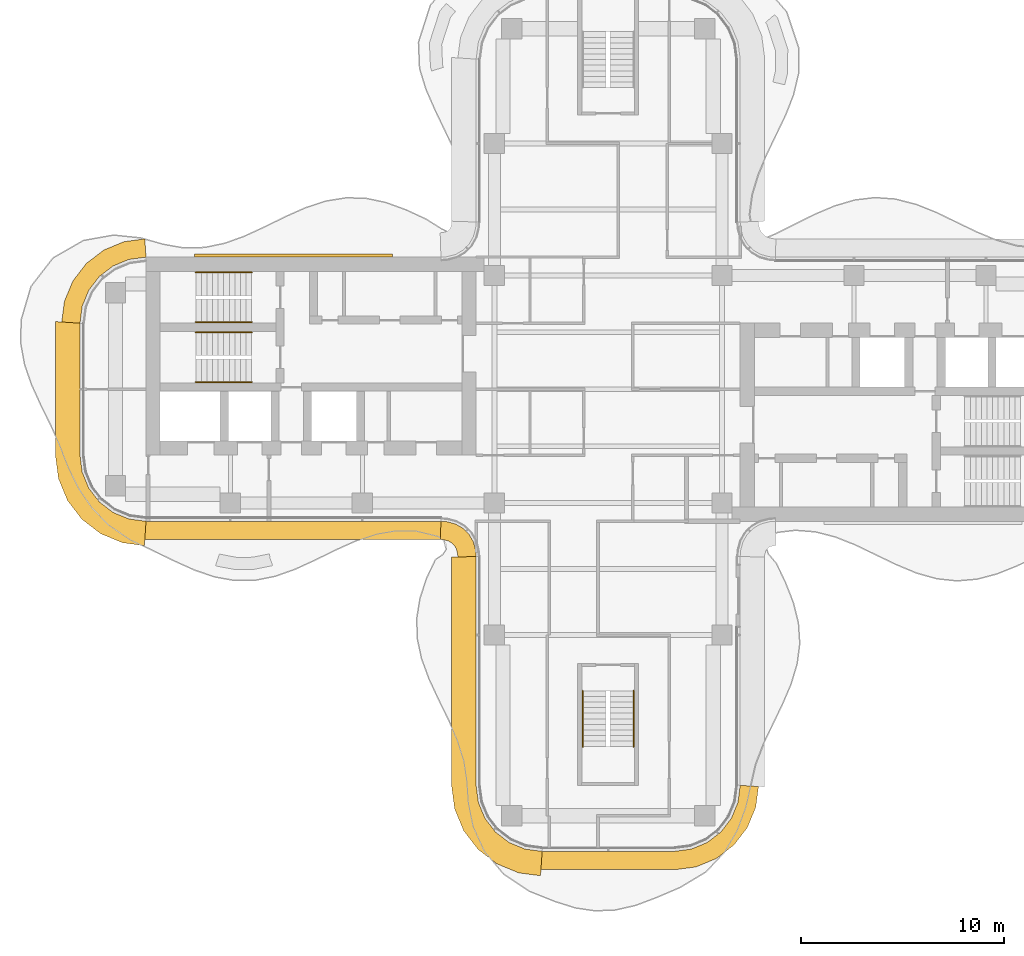
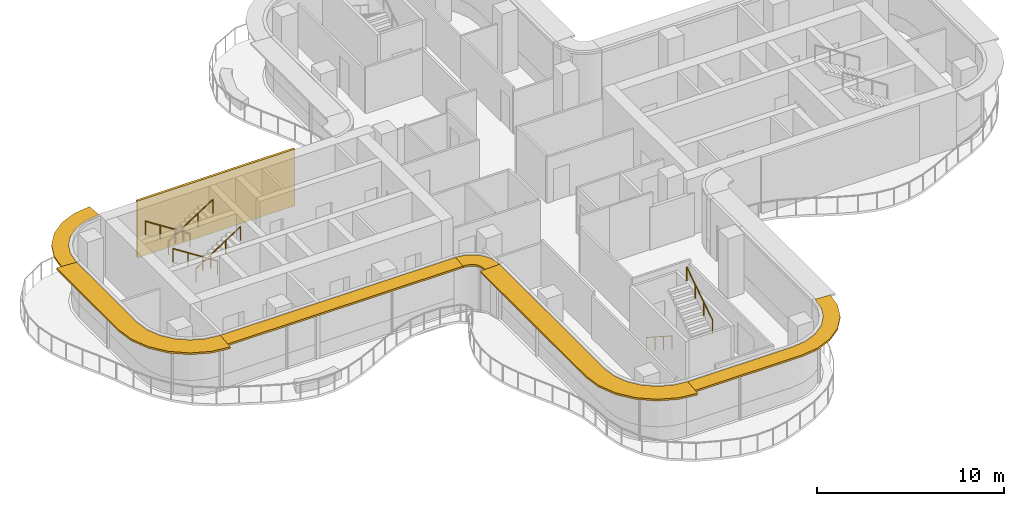
# One storey, part 15 of 16: 6 railings, 6 shading devices, 1 covering.
"""IFC4 building model written with IfcOpenShell, lengths in metres."""

from ifc_helpers import new_model, si_unit, direction, frame, origin, origin_2d, place, context, subcontext, project, spatial, polyline, circle, outline, extrude, source, transform, mapped, material, layer, layer_set, type_object, element, save


model = new_model("IFC4")

# Units and contexts
model_context = context("Model", 3, precision=1e-05, world=origin(), true_north=direction((0.0, 1.0)))
body_context = subcontext(model_context, "Body", "Model", "MODEL_VIEW")
ifc_project = project(units=[si_unit("LENGTHUNIT", "METRE"), si_unit("AREAUNIT", "SQUARE_METRE"), si_unit("VOLUMEUNIT", "CUBIC_METRE"), si_unit("PLANEANGLEUNIT", "RADIAN"), si_unit("MASSUNIT", "GRAM", prefix="KILO")], contexts=[model_context])

# Site, building, storey
site_placement = place(None, origin())
site = spatial("IfcSite", under=ifc_project, at=site_placement, CompositionType="ELEMENT")
building_placement = place(site_placement, origin())
building = spatial("IfcBuilding", under=site, at=building_placement, Name="Trellis Farm Tower", CompositionType="ELEMENT")
storey_placement = place(building_placement, frame((0.0, 0.0, 314.5)))
storey = spatial("IfcBuildingStorey", under=building, at=storey_placement, Name="L71", CompositionType="ELEMENT", Elevation=314.5)

# Railings
ifc_material_1 = material(Name="Stainless steel", Category="steel")
railing_type = type_object("IfcRailingType", Name="STAIR HANDRAIL 900", PredefinedType="HANDRAIL", material=ifc_material_1)
shared_shape_1 = source(origin(), body_context, "Body", "SweptSolid", [
    extrude(circle(Radius=0.02392578125, at=origin_2d()), frame((0.0, 0.0, 0.8759765625), z_axis=(0.0, 0.840503830235, 0.541805602924), x_axis=(-1.0, 0.0, 0.0)), (0.0, 0.0, 1.0), 3.271728515625),
    extrude(circle(Radius=0.02099609375, at=origin_2d()), origin(), (0.0, 0.0, 1.0), 0.851806640625),
    extrude(circle(Radius=0.02099609375, at=origin_2d()), frame((0.0, 0.916748046875, 0.5908203125)), (0.0, 0.0, 1.0), 0.851806640625),
    extrude(circle(Radius=0.02099609375, at=origin_2d()), frame((0.0, 1.833251953125, 1.181884765625)), (0.0, 0.0, 1.0), 0.851806640625),
    extrude(circle(Radius=0.02099609375, at=origin_2d()), frame((0.0, 2.75, 1.772705078125)), (0.0, 0.0, 1.0), 0.851806640625),
])
railing_1_placement = place(storey_placement, frame((1.25, -17.60009765625, 2.127197265625)))
element("IfcRailing", 1, at=railing_1_placement, inside=storey, type_object=railing_type, Name="Stair handrail", PredefinedType="HANDRAIL", context=body_context, shape_type="MappedRepresentation", body=[
    mapped(shared_shape_1, transform((0.0, 0.0, 0.0))),
])
shared_shape_2 = source(origin(), body_context, "Body", "SweptSolid", [
    extrude(circle(Radius=0.02392578125, at=origin_2d()), frame((0.0, 0.0, 0.8759765625), z_axis=(0.0, -0.840503830235, 0.541805602924), x_axis=(1.0, 0.0, 0.0)), (0.0, 0.0, 1.0), 3.271728515625),
    extrude(circle(Radius=0.02099609375, at=origin_2d()), origin(), (0.0, 0.0, 1.0), 0.851806640625),
    extrude(circle(Radius=0.02099609375, at=origin_2d()), frame((0.0, -0.916748046875, 0.5908203125)), (0.0, 0.0, 1.0), 0.851806640625),
    extrude(circle(Radius=0.02099609375, at=origin_2d()), frame((0.0, -1.833251953125, 1.181884765625)), (0.0, 0.0, 1.0), 0.851806640625),
    extrude(circle(Radius=0.02099609375, at=origin_2d()), frame((0.0, -2.75, 1.772705078125)), (0.0, 0.0, 1.0), 0.851806640625),
])
railing_2_placement = place(storey_placement, frame((-1.25, -14.85009765625, 0.17724609375)))
element("IfcRailing", 2, at=railing_2_placement, inside=storey, type_object=railing_type, Name="Stair handrail", PredefinedType="HANDRAIL", context=body_context, shape_type="MappedRepresentation", body=[
    mapped(shared_shape_2, transform((0.0, 0.0, 0.0))),
])
shared_shape_3 = source(origin(), body_context, "Body", "SweptSolid", [
    extrude(circle(Radius=0.02392578125, at=origin_2d()), frame((0.0, 0.0, 0.8759765625), z_axis=(0.840503830235, 0.0, 0.541805602924), x_axis=(0.0, 1.0, 0.0)), (0.0, 0.0, 1.0), 3.271728515625),
    extrude(circle(Radius=0.02099609375, at=origin_2d()), origin(), (0.0, 0.0, 1.0), 0.851806640625),
    extrude(circle(Radius=0.02099609375, at=origin_2d()), frame((0.916748046875, 0.0, 0.5908203125)), (0.0, 0.0, 1.0), 0.851806640625),
    extrude(circle(Radius=0.02099609375, at=origin_2d()), frame((1.833251953125, 0.0, 1.181884765625)), (0.0, 0.0, 1.0), 0.851806640625),
    extrude(circle(Radius=0.02099609375, at=origin_2d()), frame((2.75, 0.0, 1.772705078125)), (0.0, 0.0, 1.0), 0.851806640625),
])
for number, where, name in (
    (3, (-20.300048828125, 3.300048828125, 2.127197265625), "Stair handrail"),
    (4, (-20.300048828125, 0.35009765625, 2.127197265625), "Stair handrail"),
):
    element("IfcRailing", number, at=place(storey_placement, frame(where)), inside=storey, type_object=railing_type, Name=name, PredefinedType="HANDRAIL", context=body_context, shape_type="MappedRepresentation", body=[
        mapped(shared_shape_3, transform((0.0, 0.0, 0.0))),
    ])
shared_shape_4 = source(origin(), body_context, "Body", "SweptSolid", [
    extrude(circle(Radius=0.02392578125, at=origin_2d()), frame((0.0, 0.0, 0.8759765625), z_axis=(-0.840503830235, 0.0, 0.541805602924), x_axis=(0.0, -1.0, 0.0)), (0.0, 0.0, 1.0), 3.271728515625),
    extrude(circle(Radius=0.02099609375, at=origin_2d()), origin(), (0.0, 0.0, 1.0), 0.851806640625),
    extrude(circle(Radius=0.02099609375, at=origin_2d()), frame((-0.916748046875, 0.0, 0.5908203125)), (0.0, 0.0, 1.0), 0.851806640625),
    extrude(circle(Radius=0.02099609375, at=origin_2d()), frame((-1.833251953125, 0.0, 1.181884765625)), (0.0, 0.0, 1.0), 0.851806640625),
    extrude(circle(Radius=0.02099609375, at=origin_2d()), frame((-2.75, 0.0, 1.772705078125)), (0.0, 0.0, 1.0), 0.851806640625),
])
for number, where, name in (
    (5, (-17.550048828125, 5.75, 0.17724609375), "Stair handrail"),
    (6, (-17.550048828125, 2.800048828125, 0.17724609375), "Stair handrail"),
):
    element("IfcRailing", number, at=place(storey_placement, frame(where)), inside=storey, type_object=railing_type, Name=name, PredefinedType="HANDRAIL", context=body_context, shape_type="MappedRepresentation", body=[
        mapped(shared_shape_4, transform((0.0, 0.0, 0.0))),
    ])

# Shading devices
ifc_material_2 = material(Name="Aluminium extrusion 6063-T6", Category="aluminium")
ifc_layer_1 = layer(ifc_material_2, 0.1201171875)
ifc_layer_set_1 = layer_set([ifc_layer_1], Name="SUNSHADE BLADE 900")
shading_device_type_1 = type_object("IfcShadingDeviceType", Name="SUNSHADE BLADE 900", PredefinedType="USERDEFINED", material=ifc_layer_set_1)
shared_shape_5 = source(origin(), body_context, "Body", "SweptSolid", [
    extrude(outline(polyline([(-8.2607421875, -7.39990234375), (-8.107666015625, -7.409912109375), (-8.091552734375, -7.412109375), (-7.85595703125, -7.475341796875), (-7.697021484375, -7.567138671875), (-7.567138671875, -7.697021484375), (-7.475341796875, -7.85595703125), (-7.412109375, -8.091552734375), (-7.409912109375, -8.107666015625), (-7.39990234375, -8.2607421875), (-6.5, -8.2314453125), (-6.513916015625, -8.01953125), (-6.527587890625, -7.91552734375), (-6.63671875, -7.508544921875), (-6.846923828125, -7.144287109375), (-7.144287109375, -6.846923828125), (-7.508544921875, -6.63671875), (-7.91552734375, -6.527587890625), (-8.01953125, -6.513916015625), (-8.2314453125, -6.5), (-8.2607421875, -7.39990234375)])), origin(), (0.0, 0.0, 1.0), 0.119873046875),
])
placement = place(storey_placement, frame((0.0, 0.0, 3.5400390625)))
element("IfcShadingDevice", 7, at=placement, inside=storey, type_object=shading_device_type_1, Name="SD1 002", ObjectType="SUNSHADE", PredefinedType="USERDEFINED", context=body_context, shape_type="MappedRepresentation", body=[
    mapped(shared_shape_5, transform((0.0, 0.0, 0.0))),
])
ifc_layer_2 = layer(ifc_material_2, 0.1201171875)
ifc_layer_set_2 = layer_set([ifc_layer_2], Name="SUNSHADE BLADE 1200")
shading_device_type_2 = type_object("IfcShadingDeviceType", Name="SUNSHADE BLADE 1200", PredefinedType="USERDEFINED", material=ifc_layer_set_2)
shared_shape_6 = source(origin(), body_context, "Body", "SweptSolid", [
    extrude(outline(polyline([(-7.699951171875, -8.270751953125), (-7.699951171875, -19.57861328125), (-7.558349609375, -20.654541015625), (-7.11279296875, -21.730224609375), (-6.404052734375, -22.654052734375), (-5.480224609375, -23.36279296875), (-4.404541015625, -23.808349609375), (-3.32861328125, -23.949951171875), (-3.25, -22.75), (-4.091064453125, -22.63916015625), (-4.875, -22.314697265625), (-5.548095703125, -21.798095703125), (-6.064697265625, -21.125), (-6.38916015625, -20.341064453125), (-6.5, -19.5), (-6.5, -8.2314453125), (-7.699951171875, -8.270751953125)])), origin(), (0.0, 0.0, 1.0), 0.119873046875),
])
element("IfcShadingDevice", 8, at=placement, inside=storey, type_object=shading_device_type_2, Name="SD2 003", ObjectType="SUNSHADE", PredefinedType="USERDEFINED", context=body_context, shape_type="MappedRepresentation", body=[
    mapped(shared_shape_6, transform((0.0, 0.0, 0.0))),
])
shared_shape_7 = source(origin(), body_context, "Body", "SweptSolid", [
    extrude(outline(polyline([(-3.30908203125, -23.64990234375), (3.30908203125, -23.64990234375), (4.326171875, -23.51611328125), (5.328857421875, -23.100830078125), (6.18994140625, -22.43994140625), (6.850830078125, -21.578857421875), (7.26611328125, -20.576171875), (7.39990234375, -19.55908203125), (6.5, -19.5), (6.38916015625, -20.341064453125), (6.064697265625, -21.125), (5.548095703125, -21.798095703125), (4.875, -22.314697265625), (4.091064453125, -22.63916015625), (3.25, -22.75), (-3.25, -22.75), (-3.30908203125, -23.64990234375)])), origin(), (0.0, 0.0, 1.0), 0.119873046875),
])
element("IfcShadingDevice", 9, at=placement, inside=storey, type_object=shading_device_type_1, Name="SD1 004", ObjectType="SUNSHADE", PredefinedType="USERDEFINED", context=body_context, shape_type="MappedRepresentation", body=[
    mapped(shared_shape_7, transform((0.0, 0.0, 0.0))),
])

# Covering
ifc_material_3 = material(Name="Perforated precast screen (cobogo)", Category="concrete")
ifc_layer_3 = layer(ifc_material_3, 0.14990234375)
ifc_layer_set_3 = layer_set([ifc_layer_3], Name="COBOGO SCREEN PANEL")
covering_type = type_object("IfcCoveringType", Name="COBOGO SCREEN PANEL", PredefinedType="USERDEFINED", material=ifc_layer_set_3)
shared_shape_8 = source(origin(), body_context, "Body", "SweptSolid", [
    extrude(outline(polyline([(-10.61572265625, 6.64990234375), (-20.36572265625, 6.64990234375), (-20.36572265625, 6.5), (-10.61572265625, 6.5), (-10.61572265625, 6.64990234375)])), origin(), (0.0, 0.0, 1.0), 3.699951171875),
])
covering_placement = place(storey_placement, origin())
element("IfcCovering", 10, at=covering_placement, inside=storey, type_object=covering_type, Name="SC1 03", ObjectType="SCREEN", PredefinedType="USERDEFINED", context=body_context, shape_type="MappedRepresentation", body=[
    mapped(shared_shape_8, transform((0.0, 0.0, 0.0))),
])

# Shading devices
shared_shape_9 = source(origin(), body_context, "Body", "SweptSolid", [
    extrude(outline(polyline([(-22.80908203125, -7.39990234375), (-8.2607421875, -7.39990234375), (-8.2314453125, -6.5), (-22.75, -6.5), (-22.80908203125, -7.39990234375)])), origin(), (0.0, 0.0, 1.0), 0.119873046875),
])
element("IfcShadingDevice", 11, at=placement, inside=storey, type_object=shading_device_type_1, Name="SD1 001", ObjectType="SUNSHADE", PredefinedType="USERDEFINED", context=body_context, shape_type="MappedRepresentation", body=[
    mapped(shared_shape_9, transform((0.0, 0.0, 0.0))),
])
shared_shape_10 = source(origin(), body_context, "Body", "SweptSolid", [
    extrude(outline(polyline([(-22.80908203125, 7.39990234375), (-23.826171875, 7.26611328125), (-24.828857421875, 6.850830078125), (-25.68994140625, 6.18994140625), (-26.350830078125, 5.328857421875), (-26.76611328125, 4.326171875), (-26.89990234375, 3.30908203125), (-26.0, 3.25), (-25.88916015625, 4.091064453125), (-25.564697265625, 4.875), (-25.048095703125, 5.548095703125), (-24.375, 6.064697265625), (-23.591064453125, 6.38916015625), (-22.75, 6.5), (-22.80908203125, 7.39990234375)])), origin(), (0.0, 0.0, 1.0), 0.119873046875),
])
element("IfcShadingDevice", 12, at=placement, inside=storey, type_object=shading_device_type_1, Name="SD1 016", ObjectType="SUNSHADE", PredefinedType="USERDEFINED", context=body_context, shape_type="MappedRepresentation", body=[
    mapped(shared_shape_10, transform((0.0, 0.0, 0.0))),
])
shared_shape_11 = source(origin(), body_context, "Body", "SweptSolid", [
    extrude(outline(polyline([(-27.199951171875, 3.32861328125), (-27.199951171875, -3.32861328125), (-27.058349609375, -4.404541015625), (-26.61279296875, -5.480224609375), (-25.904052734375, -6.404052734375), (-24.980224609375, -7.11279296875), (-23.904541015625, -7.558349609375), (-22.82861328125, -7.699951171875), (-22.75, -6.5), (-23.591064453125, -6.38916015625), (-24.375, -6.064697265625), (-25.048095703125, -5.548095703125), (-25.564697265625, -4.875), (-25.88916015625, -4.091064453125), (-26.0, -3.25), (-26.0, 3.25), (-27.199951171875, 3.32861328125)])), origin(), (0.0, 0.0, 1.0), 0.119873046875),
])
element("IfcShadingDevice", 13, at=placement, inside=storey, type_object=shading_device_type_2, Name="SD2 017", ObjectType="SUNSHADE", PredefinedType="USERDEFINED", context=body_context, shape_type="MappedRepresentation", body=[
    mapped(shared_shape_11, transform((0.0, 0.0, 0.0))),
])

save(model, "model.ifc")
